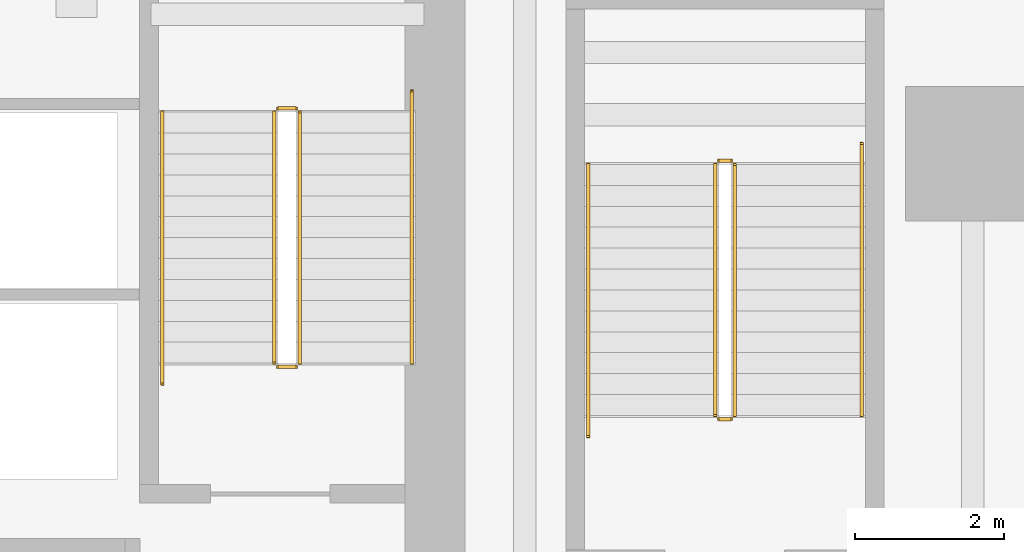
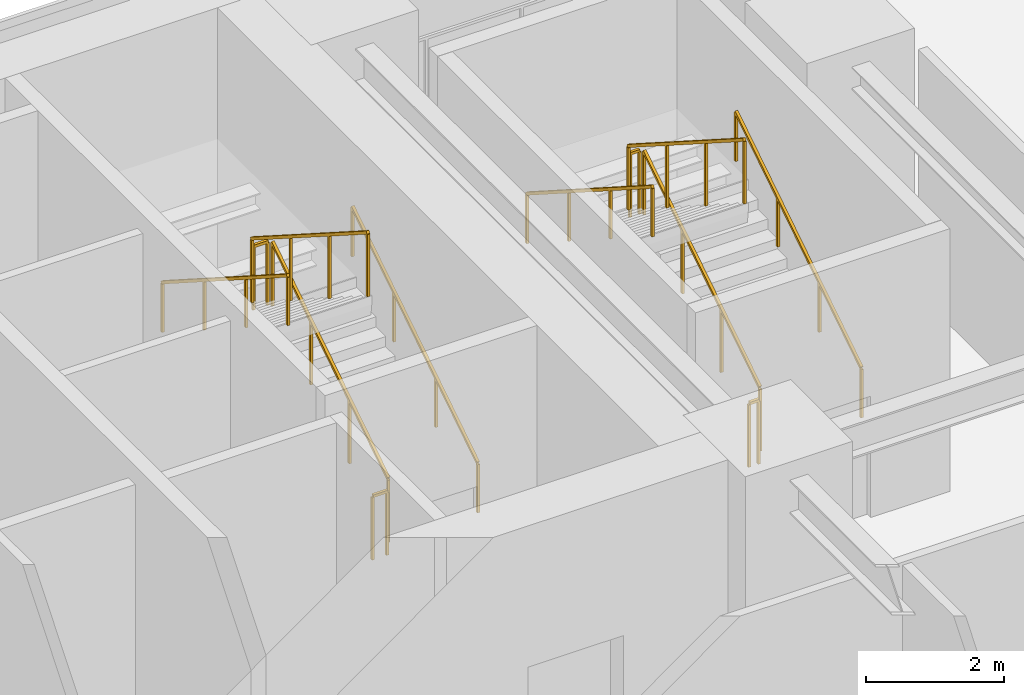
# One storey, part 13 of 15: 12 railings.
"""IFC4 building model written with IfcOpenShell, lengths in metres."""

from ifc_helpers import new_model, si_unit, direction, frame, origin, origin_2d, place, context, subcontext, project, spatial, rectangle, extrude, material, type_object, element, save


model = new_model("IFC4")

# Units and contexts
model_context = context("Model", 3, precision=1e-05, world=origin(), true_north=direction((0.0, 1.0)))
body_context = subcontext(model_context, "Body", "Model", "MODEL_VIEW")
ifc_project = project(units=[si_unit("LENGTHUNIT", "METRE"), si_unit("AREAUNIT", "SQUARE_METRE"), si_unit("VOLUMEUNIT", "CUBIC_METRE"), si_unit("PLANEANGLEUNIT", "RADIAN"), si_unit("MASSUNIT", "GRAM", prefix="KILO")], contexts=[model_context])

# Site, building, storey
site_placement = place(None, origin())
site = spatial("IfcSite", under=ifc_project, at=site_placement, CompositionType="ELEMENT")
building_placement = place(site_placement, origin())
building = spatial("IfcBuilding", under=site, at=building_placement, Name="Sumidabori Civic Tower", CompositionType="ELEMENT")
storey_placement = place(building_placement, frame((0.0, 0.0, 14.300048828125)))
storey = spatial("IfcBuildingStorey", under=building, at=storey_placement, Name="L03", CompositionType="ELEMENT", Elevation=14.300048828125)

# Railings
ifc_material_1 = material(Name="Stainless Steel Hairline Finish", Category="steel")
railing_type_1 = type_object("IfcRailingType", Name="RL-HANDRAIL", PredefinedType="HANDRAIL", material=ifc_material_1)
railing_1_placement = place(storey_placement, frame((15.2900390625, 16.0, 0.1787109375)))
element("IfcRailing", 1, at=railing_1_placement, inside=storey, type_object=railing_type_1, Name="L03 ST-2 stair handrail 1", PredefinedType="HANDRAIL", context=body_context, shape_type="SweptSolid", body=[
    extrude(rectangle(XDim=0.048095703125, YDim=0.048095703125, at=origin_2d()), frame((0.0, 0.0, 0.8759765625), z_axis=(0.0, 0.842342193388, 0.538943066787), x_axis=(-1.0, 0.0, 0.0)), (0.0, 0.0, 1.0), 4.321044921875),
    extrude(rectangle(XDim=0.0419921875, YDim=0.0419921875, at=origin_2d()), origin(), (0.0, 0.0, 1.0), 0.851806640625),
    extrude(rectangle(XDim=0.0419921875, YDim=0.0419921875, at=origin_2d()), frame((0.0, 1.21337890625, 0.7763671875)), (0.0, 0.0, 1.0), 0.851806640625),
    extrude(rectangle(XDim=0.0419921875, YDim=0.0419921875, at=origin_2d()), frame((0.0, 2.426513671875, 1.552490234375)), (0.0, 0.0, 1.0), 0.851806640625),
    extrude(rectangle(XDim=0.0419921875, YDim=0.0419921875, at=origin_2d()), frame((0.0, 3.639892578125, 2.328857421875)), (0.0, 0.0, 1.0), 0.851806640625),
])
railing_2_placement = place(storey_placement, frame((11.949951171875, 19.360107421875, 2.50390625)))
element("IfcRailing", 2, at=railing_2_placement, inside=storey, type_object=railing_type_1, Name="L03 ST-2 stair handrail 2", PredefinedType="HANDRAIL", context=body_context, shape_type="SweptSolid", body=[
    extrude(rectangle(XDim=0.048095703125, YDim=0.048095703125, at=origin_2d()), frame((0.0, 0.0, 0.8759765625), z_axis=(0.0, -0.842384249815, 0.538877328956), x_axis=(1.0, 0.0, 0.0)), (0.0, 0.0, 1.0), 4.3212890625),
    extrude(rectangle(XDim=0.0419921875, YDim=0.0419921875, at=origin_2d()), origin(), (0.0, 0.0, 1.0), 0.851806640625),
    extrude(rectangle(XDim=0.0419921875, YDim=0.0419921875, at=origin_2d()), frame((0.0, -1.21337890625, 0.776123046875)), (0.0, 0.0, 1.0), 0.851806640625),
    extrude(rectangle(XDim=0.0419921875, YDim=0.0419921875, at=origin_2d()), frame((0.0, -2.4267578125, 1.552490234375)), (0.0, 0.0, 1.0), 0.851806640625),
    extrude(rectangle(XDim=0.0419921875, YDim=0.0419921875, at=origin_2d()), frame((0.0, -3.64013671875, 2.32861328125)), (0.0, 0.0, 1.0), 0.851806640625),
])
railing_3_placement = place(storey_placement, frame((21.31005859375, 15.300048828125, 0.1787109375)))
element("IfcRailing", 3, at=railing_3_placement, inside=storey, type_object=railing_type_1, Name="L03 ST-4 stair handrail 1", PredefinedType="HANDRAIL", context=body_context, shape_type="SweptSolid", body=[
    extrude(rectangle(XDim=0.048095703125, YDim=0.048095703125, at=origin_2d()), frame((0.0, 0.0, 0.8759765625), z_axis=(0.0, 0.842342193388, 0.538943066787), x_axis=(-1.0, 0.0, 0.0)), (0.0, 0.0, 1.0), 4.321044921875),
    extrude(rectangle(XDim=0.0419921875, YDim=0.0419921875, at=origin_2d()), origin(), (0.0, 0.0, 1.0), 0.851806640625),
    extrude(rectangle(XDim=0.0419921875, YDim=0.0419921875, at=origin_2d()), frame((0.0, 1.21337890625, 0.7763671875)), (0.0, 0.0, 1.0), 0.851806640625),
    extrude(rectangle(XDim=0.0419921875, YDim=0.0419921875, at=origin_2d()), frame((0.0, 2.426513671875, 1.552490234375)), (0.0, 0.0, 1.0), 0.851806640625),
    extrude(rectangle(XDim=0.0419921875, YDim=0.0419921875, at=origin_2d()), frame((0.0, 3.639892578125, 2.328857421875)), (0.0, 0.0, 1.0), 0.851806640625),
])
railing_4_placement = place(storey_placement, frame((17.64990234375, 18.659912109375, 2.50390625)))
element("IfcRailing", 4, at=railing_4_placement, inside=storey, type_object=railing_type_1, Name="L03 ST-4 stair handrail 2", PredefinedType="HANDRAIL", context=body_context, shape_type="SweptSolid", body=[
    extrude(rectangle(XDim=0.048095703125, YDim=0.048095703125, at=origin_2d()), frame((0.0, 0.0, 0.8759765625), z_axis=(0.0, -0.842367842277, 0.538902976701), x_axis=(1.0, 0.0, 0.0)), (0.0, 0.0, 1.0), 4.321044921875),
    extrude(rectangle(XDim=0.0419921875, YDim=0.0419921875, at=origin_2d()), origin(), (0.0, 0.0, 1.0), 0.851806640625),
    extrude(rectangle(XDim=0.0419921875, YDim=0.0419921875, at=origin_2d()), frame((0.0, -1.21337890625, 0.776123046875)), (0.0, 0.0, 1.0), 0.851806640625),
    extrude(rectangle(XDim=0.0419921875, YDim=0.0419921875, at=origin_2d()), frame((0.0, -2.426513671875, 1.552490234375)), (0.0, 0.0, 1.0), 0.851806640625),
    extrude(rectangle(XDim=0.0419921875, YDim=0.0419921875, at=origin_2d()), frame((0.0, -3.639892578125, 2.32861328125)), (0.0, 0.0, 1.0), 0.851806640625),
])
ifc_material_2 = material(Name="Steel SN490", Category="steel")
railing_type_2 = type_object("IfcRailingType", Name="RL-STAIR-GUARD", PredefinedType="GUARDRAIL", material=ifc_material_2)
railing_5_placement = place(storey_placement, frame((13.7900390625, 16.0, 0.1787109375)))
element("IfcRailing", 5, at=railing_5_placement, inside=storey, type_object=railing_type_2, Name="L03 ST-2 stair guard 1", PredefinedType="GUARDRAIL", context=body_context, shape_type="SweptSolid", body=[
    extrude(rectangle(XDim=0.048095703125, YDim=0.048095703125, at=origin_2d()), frame((0.0, 0.0, 1.1259765625), z_axis=(0.0, 0.842752589747, 0.538301098341), x_axis=(-1.0, 0.0, 0.0)), (0.0, 0.0, 1.0), 3.987060546875),
    extrude(rectangle(XDim=0.0419921875, YDim=0.0419921875, at=origin_2d()), origin(), (0.0, 0.0, 1.0), 1.101806640625),
    extrude(rectangle(XDim=0.0419921875, YDim=0.0419921875, at=origin_2d()), frame((0.0, 1.1201171875, 0.71533203125)), (0.0, 0.0, 1.0), 1.101806640625),
    extrude(rectangle(XDim=0.0419921875, YDim=0.0419921875, at=origin_2d()), frame((0.0, 2.239990234375, 1.430908203125)), (0.0, 0.0, 1.0), 1.101806640625),
    extrude(rectangle(XDim=0.0419921875, YDim=0.0419921875, at=origin_2d()), frame((0.0, 3.360107421875, 2.146240234375)), (0.0, 0.0, 1.0), 1.101806640625),
])
railing_6_placement = place(storey_placement, frame((13.739990234375, 19.409912109375, 2.324951171875)))
element("IfcRailing", 6, at=railing_6_placement, inside=storey, type_object=railing_type_2, Name="L03 ST-2 stair guard 2", PredefinedType="GUARDRAIL", context=body_context, shape_type="SweptSolid", body=[
    extrude(rectangle(XDim=0.048095703125, YDim=0.048095703125, at=origin_2d()), frame((0.0, 0.0, 1.1259765625), z_axis=(-1.0, 0.0, 0.0), x_axis=(0.0, -1.0, 0.0)), (0.0, 0.0, 1.0), 0.239990234375),
    extrude(rectangle(XDim=0.0419921875, YDim=0.0419921875, at=origin_2d()), origin(), (0.0, 0.0, 1.0), 1.101806640625),
    extrude(rectangle(XDim=0.0419921875, YDim=0.0419921875, at=origin_2d()), frame((-0.239990234375, 0.0, 0.0)), (0.0, 0.0, 1.0), 1.101806640625),
])
railing_7_placement = place(storey_placement, frame((13.449951171875, 19.360107421875, 2.50390625)))
element("IfcRailing", 7, at=railing_7_placement, inside=storey, type_object=railing_type_2, Name="L03 ST-2 stair guard 3", PredefinedType="GUARDRAIL", context=body_context, shape_type="SweptSolid", body=[
    extrude(rectangle(XDim=0.048095703125, YDim=0.048095703125, at=origin_2d()), frame((0.0, 0.0, 1.1259765625), z_axis=(0.0, -0.842780368268, 0.538257606414), x_axis=(1.0, 0.0, 0.0)), (0.0, 0.0, 1.0), 3.98681640625),
    extrude(rectangle(XDim=0.0419921875, YDim=0.0419921875, at=origin_2d()), origin(), (0.0, 0.0, 1.0), 1.101806640625),
    extrude(rectangle(XDim=0.0419921875, YDim=0.0419921875, at=origin_2d()), frame((0.0, -1.1201171875, 0.71533203125)), (0.0, 0.0, 1.0), 1.101806640625),
    extrude(rectangle(XDim=0.0419921875, YDim=0.0419921875, at=origin_2d()), frame((0.0, -2.239990234375, 1.4306640625)), (0.0, 0.0, 1.0), 1.101806640625),
    extrude(rectangle(XDim=0.0419921875, YDim=0.0419921875, at=origin_2d()), frame((0.0, -3.360107421875, 2.14599609375)), (0.0, 0.0, 1.0), 1.101806640625),
])
railing_8_placement = place(storey_placement, frame((13.739990234375, 15.949951171875, 0.0)))
element("IfcRailing", 8, at=railing_8_placement, inside=storey, type_object=railing_type_2, Name="L03 ST-2 stair guard 4", PredefinedType="GUARDRAIL", context=body_context, shape_type="SweptSolid", body=[
    extrude(rectangle(XDim=0.048095703125, YDim=0.048095703125, at=origin_2d()), frame((0.0, 0.0, 1.1259765625), z_axis=(-1.0, 0.0, 0.0), x_axis=(0.0, -1.0, 0.0)), (0.0, 0.0, 1.0), 0.239990234375),
    extrude(rectangle(XDim=0.0419921875, YDim=0.0419921875, at=origin_2d()), origin(), (0.0, 0.0, 1.0), 1.101806640625),
    extrude(rectangle(XDim=0.0419921875, YDim=0.0419921875, at=origin_2d()), frame((-0.239990234375, 0.0, 0.0)), (0.0, 0.0, 1.0), 1.101806640625),
])
railing_9_placement = place(storey_placement, frame((19.610107421875, 15.300048828125, 0.1787109375)))
element("IfcRailing", 9, at=railing_9_placement, inside=storey, type_object=railing_type_2, Name="L03 ST-4 stair guard 1", PredefinedType="GUARDRAIL", context=body_context, shape_type="SweptSolid", body=[
    extrude(rectangle(XDim=0.048095703125, YDim=0.048095703125, at=origin_2d()), frame((0.0, 0.0, 1.1259765625), z_axis=(0.0, 0.842734844946, 0.538328878209), x_axis=(-1.0, 0.0, 0.0)), (0.0, 0.0, 1.0), 3.98681640625),
    extrude(rectangle(XDim=0.0419921875, YDim=0.0419921875, at=origin_2d()), origin(), (0.0, 0.0, 1.0), 1.101806640625),
    extrude(rectangle(XDim=0.0419921875, YDim=0.0419921875, at=origin_2d()), frame((0.0, 1.119873046875, 0.71533203125)), (0.0, 0.0, 1.0), 1.101806640625),
    extrude(rectangle(XDim=0.0419921875, YDim=0.0419921875, at=origin_2d()), frame((0.0, 2.239990234375, 1.430908203125)), (0.0, 0.0, 1.0), 1.101806640625),
    extrude(rectangle(XDim=0.0419921875, YDim=0.0419921875, at=origin_2d()), frame((0.0, 3.35986328125, 2.146240234375)), (0.0, 0.0, 1.0), 1.101806640625),
])
railing_10_placement = place(storey_placement, frame((19.56005859375, 18.7099609375, 2.324951171875)))
element("IfcRailing", 10, at=railing_10_placement, inside=storey, type_object=railing_type_2, Name="L03 ST-4 stair guard 2", PredefinedType="GUARDRAIL", context=body_context, shape_type="SweptSolid", body=[
    extrude(rectangle(XDim=0.048095703125, YDim=0.048095703125, at=origin_2d()), frame((0.0, 0.0, 1.1259765625), z_axis=(-1.0, 0.0, 0.0), x_axis=(0.0, -1.0, 0.0)), (0.0, 0.0, 1.0), 0.16015625),
    extrude(rectangle(XDim=0.0419921875, YDim=0.0419921875, at=origin_2d()), origin(), (0.0, 0.0, 1.0), 1.101806640625),
    extrude(rectangle(XDim=0.0419921875, YDim=0.0419921875, at=origin_2d()), frame((-0.16015625, 0.0, 0.0)), (0.0, 0.0, 1.0), 1.101806640625),
])
railing_11_placement = place(storey_placement, frame((19.35009765625, 18.659912109375, 2.50390625)))
element("IfcRailing", 11, at=railing_11_placement, inside=storey, type_object=railing_type_2, Name="L03 ST-4 stair guard 3", PredefinedType="GUARDRAIL", context=body_context, shape_type="SweptSolid", body=[
    extrude(rectangle(XDim=0.048095703125, YDim=0.048095703125, at=origin_2d()), frame((0.0, 0.0, 1.1259765625), z_axis=(0.0, -0.842762625749, 0.538285385869), x_axis=(1.0, 0.0, 0.0)), (0.0, 0.0, 1.0), 3.98681640625),
    extrude(rectangle(XDim=0.0419921875, YDim=0.0419921875, at=origin_2d()), origin(), (0.0, 0.0, 1.0), 1.101806640625),
    extrude(rectangle(XDim=0.0419921875, YDim=0.0419921875, at=origin_2d()), frame((0.0, -1.119873046875, 0.71533203125)), (0.0, 0.0, 1.0), 1.101806640625),
    extrude(rectangle(XDim=0.0419921875, YDim=0.0419921875, at=origin_2d()), frame((0.0, -2.239990234375, 1.4306640625)), (0.0, 0.0, 1.0), 1.101806640625),
    extrude(rectangle(XDim=0.0419921875, YDim=0.0419921875, at=origin_2d()), frame((0.0, -3.35986328125, 2.14599609375)), (0.0, 0.0, 1.0), 1.101806640625),
])
railing_12_placement = place(storey_placement, frame((19.56005859375, 15.25, 0.0)))
element("IfcRailing", 12, at=railing_12_placement, inside=storey, type_object=railing_type_2, Name="L03 ST-4 stair guard 4", PredefinedType="GUARDRAIL", context=body_context, shape_type="SweptSolid", body=[
    extrude(rectangle(XDim=0.048095703125, YDim=0.048095703125, at=origin_2d()), frame((0.0, 0.0, 1.1259765625), z_axis=(-1.0, 0.0, 0.0), x_axis=(0.0, -1.0, 0.0)), (0.0, 0.0, 1.0), 0.16015625),
    extrude(rectangle(XDim=0.0419921875, YDim=0.0419921875, at=origin_2d()), origin(), (0.0, 0.0, 1.0), 1.101806640625),
    extrude(rectangle(XDim=0.0419921875, YDim=0.0419921875, at=origin_2d()), frame((-0.16015625, 0.0, 0.0)), (0.0, 0.0, 1.0), 1.101806640625),
])

save(model, "model.ifc")
